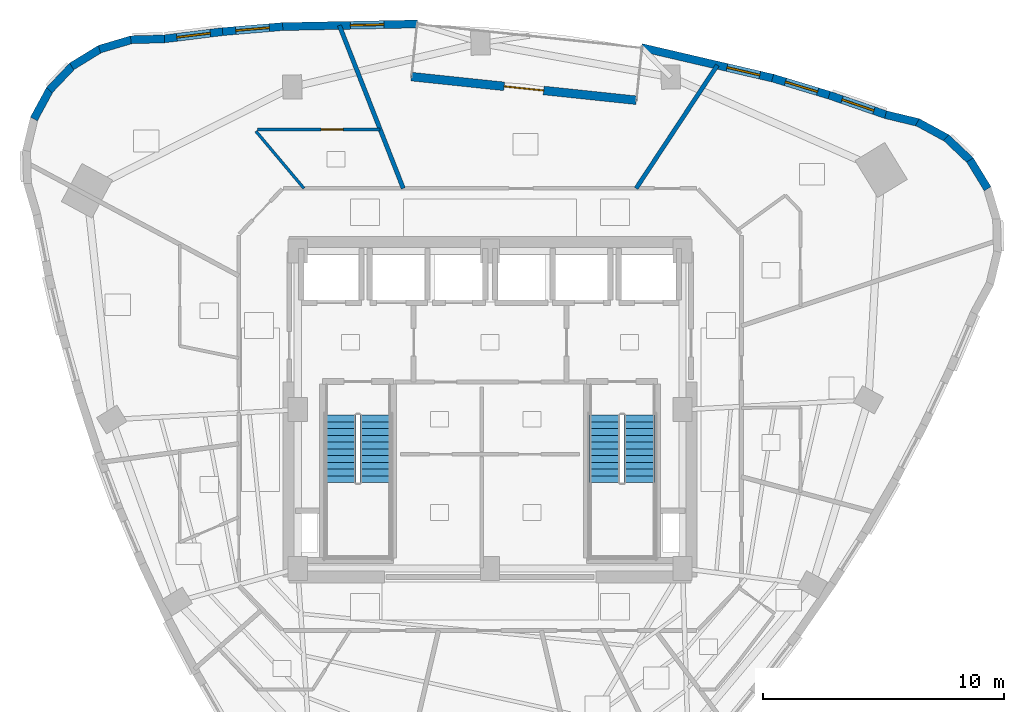
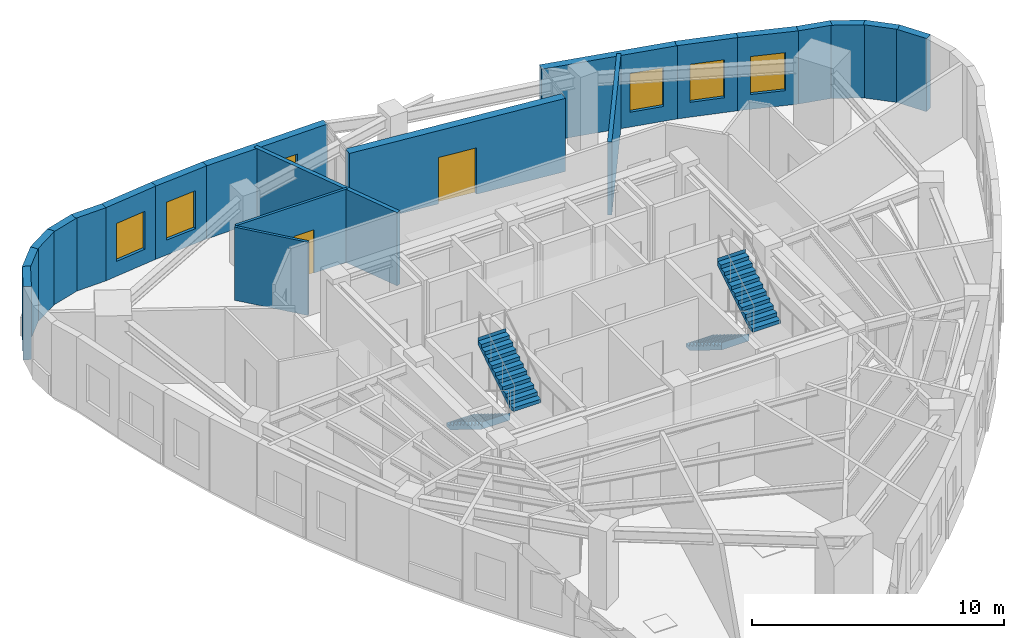
# One storey, part 8 of 11: 20 walls, 6 windows, 4 stair flights, 2 doors, 8 openings, 2 elements without a shape of their own.
"""IFC4 building model written with IfcOpenShell, lengths in metres."""

import ifcopenshell
import ifcopenshell.guid

model = None  # the IFC model being written
_history = None  # IfcOwnerHistory: only IFC2X3 demands one
_inside = {}  # id of a spatial element -> (the spatial element, [elements in it])
_under = {}  # id of a project, library or spatial element -> (it, [spatial elements below it])
_declared = {}  # id of a project -> (the project, [libraries it declares])
_typed = {}  # id of a type object -> (the type object, [elements of that type])
_made_of = {}  # id of a material, layer set ... -> (it, [elements and type objects made of it])


def new_model(schema):
    """Start an empty IFC model of exactly this schema.

    Asked for "IFC4X3", IfcOpenShell would pick the latest addendum, in which some entities
    have other attributes; the version numbers below select the first issue.
    IFC2X3 requires an IfcOwnerHistory on every rooted entity: one is made here for all.
    """
    global model, _history
    if schema == "IFC4X3":
        model = ifcopenshell.file(schema_version=(4, 3, 0, 0))
    else:
        model = ifcopenshell.file(schema=schema)
    _inside.clear()
    _under.clear()
    _declared.clear()
    _typed.clear()
    _made_of.clear()
    _history = None
    if model.schema == "IFC2X3":
        org = make("IfcOrganization", Name="unknown")
        user = make(
            "IfcPersonAndOrganization",
            ThePerson=make("IfcPerson", FamilyName="unknown"),
            TheOrganization=org,
        )
        app = make(
            "IfcApplication",
            ApplicationDeveloper=org,
            Version="unknown",
            ApplicationFullName="unknown",
            ApplicationIdentifier="unknown",
        )
        _history = make(
            "IfcOwnerHistory",
            OwningUser=user,
            OwningApplication=app,
            ChangeAction="ADDED",
            CreationDate=0,
        )
    return model


def make(cls, **values):
    """One entity of the class cls with the attributes given. An attribute that is None is left unset."""
    return model.create_entity(
        cls, **{name: value for name, value in values.items() if value is not None}
    )


def rooted(cls, **values):
    """An entity with a GlobalId (a new one), such as an element, a storey or a relation."""
    return make(cls, GlobalId=ifcopenshell.guid.new(), OwnerHistory=_history, **values)


def si_unit(unit_type, name, prefix=None):
    """IfcSIUnit, for example si_unit("LENGTHUNIT", "METRE", prefix="MILLI")."""
    return make("IfcSIUnit", UnitType=unit_type, Prefix=prefix, Name=name)


def assignment(units):
    """IfcUnitAssignment: the units of a project."""
    return None if units is None else make("IfcUnitAssignment", Units=units)


def point(xyz):
    """IfcCartesianPoint."""
    return None if xyz is None else make("IfcCartesianPoint", Coordinates=xyz)


def direction(xyz):
    """IfcDirection."""
    return None if xyz is None else make("IfcDirection", DirectionRatios=xyz)


def frame(location, z_axis=None, x_axis=None):
    """IfcAxis2Placement3D, a coordinate frame: its origin and axes. An axis left out is left unset."""
    return make(
        "IfcAxis2Placement3D",
        Location=point(location),
        Axis=direction(z_axis),
        RefDirection=direction(x_axis),
    )


def frame_2d(location, x_axis=None):
    """IfcAxis2Placement2D, a coordinate frame in the plane: its origin and x axis."""
    return make(
        "IfcAxis2Placement2D", Location=point(location), RefDirection=direction(x_axis)
    )


def origin():
    """The frame at (0, 0, 0) with its axes left unset."""
    return frame((0.0, 0.0, 0.0))


def place(relative_to, where):
    """IfcLocalPlacement: puts the frame where relative to a parent placement (None: the world)."""
    return make(
        "IfcLocalPlacement", PlacementRelTo=relative_to, RelativePlacement=where
    )


def context(
    kind, dimensions, precision=None, world=None, true_north=None, identifier=None
):
    """IfcGeometricRepresentationContext, for example the 3D "Model" context."""
    return make(
        "IfcGeometricRepresentationContext",
        ContextIdentifier=identifier,
        ContextType=kind,
        CoordinateSpaceDimension=dimensions,
        Precision=precision,
        WorldCoordinateSystem=world,
        TrueNorth=true_north,
    )


def subcontext(parent, identifier, kind, view, scale=None):
    """IfcGeometricRepresentationSubContext, for example "Body" below "Model"."""
    return make(
        "IfcGeometricRepresentationSubContext",
        ContextIdentifier=identifier,
        ContextType=kind,
        ParentContext=parent,
        TargetScale=scale,
        TargetView=view,
    )


def project(units=None, contexts=None):
    """IfcProject with its units and contexts."""
    return rooted(
        "IfcProject",
        Name="project",
        RepresentationContexts=contexts,
        UnitsInContext=assignment(units),
    )


def spatial(cls, under=None, at=None, **own):
    """A site, building, storey or space (cls), placed at a placement, below another one or the project."""
    s = rooted(cls, ObjectPlacement=at, **own)
    if under is not None:
        _under.setdefault(under.id(), (under, []))[1].append(s)
    return s


def polyline(points):
    """IfcPolyline through the points."""
    return make("IfcPolyline", Points=[point(p) for p in points])


def profile(cls, at=None, kind="AREA", **sizes):
    """A parametric profile (cls). Its sizes go by their IFC names, for example OverallWidth=200.0."""
    return make(cls, ProfileType=kind, Position=at, **sizes)


def rectangle(**sizes):
    """IfcRectangleProfileDef."""
    return profile("IfcRectangleProfileDef", **sizes)


def outline(outer, holes=None, kind="AREA"):
    """IfcArbitraryClosedProfileDef: a profile drawn as a closed curve; with holes, ...WithVoids."""
    if holes is None:
        return make("IfcArbitraryClosedProfileDef", ProfileType=kind, OuterCurve=outer)
    return make(
        "IfcArbitraryProfileDefWithVoids",
        ProfileType=kind,
        OuterCurve=outer,
        InnerCurves=holes,
    )


def extrude(swept, where, along, depth):
    """IfcExtrudedAreaSolid: the profile swept, set in the frame where, extruded along a direction by depth."""
    return make(
        "IfcExtrudedAreaSolid",
        SweptArea=swept,
        Position=where,
        ExtrudedDirection=direction(along),
        Depth=depth,
    )


def shape(context_of_items, identifier, shape_type, items):
    """IfcShapeRepresentation: the items that make up one representation, for example the "Body"."""
    return make(
        "IfcShapeRepresentation",
        ContextOfItems=context_of_items,
        RepresentationIdentifier=identifier,
        RepresentationType=shape_type,
        Items=items,
    )


def material(Name=None, Category=None):
    """IfcMaterial."""
    return make("IfcMaterial", Name=Name, Category=Category)


def layer(
    of_material, thickness, ventilated=None, Name=None, Category=None, Priority=None
):
    """IfcMaterialLayer: one layer of a wall or slab, of a material (None: an air gap)."""
    return make(
        "IfcMaterialLayer",
        Material=of_material,
        LayerThickness=thickness,
        IsVentilated=ventilated,
        Name=Name,
        Category=Category,
        Priority=Priority,
    )


def layer_set(layers, Name=None):
    """IfcMaterialLayerSet."""
    return make("IfcMaterialLayerSet", MaterialLayers=layers, LayerSetName=Name)


def made_of(thing, what):
    """Note that an element or type object is made of a material, layer set ...; save() writes the relation."""
    if what is not None:
        _made_of.setdefault(what.id(), (what, []))[1].append(thing)
    return thing


def type_object(cls, material=None, **own):
    """A type object (cls), such as IfcWallType, which elements share."""
    return made_of(rooted(cls, **own), material)


def element(
    cls,
    number,
    at=None,
    inside=None,
    cuts=None,
    type_object=None,
    material=None,
    context=None,
    identifier="Body",
    shape_type=None,
    held_by="IfcProductDefinitionShape",
    body=None,
    shapes=None,
    **own,
):
    """One element of the class cls, such as IfcWall. Its Tag is "e" and its number.

    at: its placement. inside: the storey or other place that contains it. cuts: it is an
    opening in that element (IfcRelVoidsElement). A single representation is given by context,
    identifier, shape_type and body (its items); several are given by shapes. held_by: the class
    of the entity that holds the representations. save() writes the other relations.
    """
    e = rooted(cls, Tag="e%d" % number, ObjectPlacement=at, **own)
    if body is not None:
        shapes = [shape(context, identifier, shape_type, body)]
    if shapes is not None:
        e.Representation = make(held_by, Representations=shapes)
    if inside is not None:
        _inside.setdefault(inside.id(), (inside, []))[1].append(e)
    if cuts is not None:
        rooted(
            "IfcRelVoidsElement", RelatingBuildingElement=cuts, RelatedOpeningElement=e
        )
    if type_object is not None:
        _typed.setdefault(type_object.id(), (type_object, []))[1].append(e)
    return made_of(e, material)


def fill(opening, filler):
    """IfcRelFillsElement: the door or window that sits in an opening."""
    return rooted(
        "IfcRelFillsElement",
        RelatingOpeningElement=opening,
        RelatedBuildingElement=filler,
    )


def aggregate(whole, parts):
    """IfcRelAggregates: a whole, such as a stair, and the parts it consists of."""
    return rooted("IfcRelAggregates", RelatingObject=whole, RelatedObjects=parts)


def save(model, path):
    """Write the relations noted so far, then the file.

    IfcRelAggregates (storeys below a building ...), IfcRelContainedInSpatialStructure (elements
    in a storey), IfcRelDefinesByType, IfcRelAssociatesMaterial and IfcRelDeclares: one each for
    every whole, place, type object, material and project.
    """
    for whole, parts in _under.values():
        aggregate(whole, parts)
    for where, things in _inside.values():
        rooted(
            "IfcRelContainedInSpatialStructure",
            RelatedElements=things,
            RelatingStructure=where,
        )
    for kind, things in _typed.values():
        rooted("IfcRelDefinesByType", RelatedObjects=things, RelatingType=kind)
    for what, things in _made_of.values():
        rooted("IfcRelAssociatesMaterial", RelatedObjects=things, RelatingMaterial=what)
    for by, libraries in _declared.values():
        rooted("IfcRelDeclares", RelatingContext=by, RelatedDefinitions=libraries)
    model.write(path)


model = new_model("IFC4")

# Units and contexts
model_context = context("Model", 3, precision=1e-05, world=origin(), true_north=direction((0.0, 1.0)))
body_context = subcontext(model_context, "Body", "Model", "MODEL_VIEW")
ifc_project = project(units=[si_unit("LENGTHUNIT", "METRE"), si_unit("AREAUNIT", "SQUARE_METRE"), si_unit("VOLUMEUNIT", "CUBIC_METRE"), si_unit("PLANEANGLEUNIT", "RADIAN"), si_unit("MASSUNIT", "GRAM", prefix="KILO")], contexts=[model_context])

# Site, building, storey
site_placement = place(None, origin())
site = spatial("IfcSite", under=ifc_project, at=site_placement, CompositionType="ELEMENT")
building_placement = place(site_placement, origin())
building = spatial("IfcBuilding", under=site, at=building_placement, Name="Ndelora Gate Hotel", CompositionType="ELEMENT")
storey_placement = place(building_placement, frame((0.0, 0.0, 186.550048828125)))
storey = spatial("IfcBuildingStorey", under=building, at=storey_placement, Name="L46", CompositionType="ELEMENT", Elevation=186.550048828125)

# Walls
ifc_material_1 = material(Name="Acoustic Double-Stud Gypsum Assembly", Category="gypsum")
ifc_layer_1 = layer(ifc_material_1, 0.179931640625)
ifc_layer_set_1 = layer_set([ifc_layer_1], Name="Acoustic Double-Stud Gypsum Assembly")
wall_type_1 = type_object("IfcWallType", Name="WL-ACOUST-180", PredefinedType="PARTITIONING", material=ifc_layer_set_1)
wall_1_placement = place(storey_placement, frame((6.0703125, 9.199951171875, 0.0), z_axis=(0.0, 0.0, 1.0), x_axis=(0.550708603457, 0.834697570428, 0.0)))
element("IfcWall", 1, at=wall_1_placement, inside=storey, type_object=wall_type_1, Name="L46 Interior Wall IW-3", PredefinedType="PARTITIONING", context=body_context, shape_type="SweptSolid", body=[
    extrude(rectangle(XDim=6.135498046875, YDim=0.179931640625, at=frame_2d((3.06787109375, 0.0))), origin(), (0.0, 0.0, 1.0), 3.550048828125),
])
wall_2_placement = place(storey_placement, frame((-3.608642578125, 9.199951171875, 0.0), z_axis=(0.0, 0.0, 1.0), x_axis=(-0.365139424443, 0.930952845593, 0.0)))
element("IfcWall", 2, at=wall_2_placement, inside=storey, type_object=wall_type_1, Name="L46 Interior Wall IW-3", PredefinedType="PARTITIONING", context=body_context, shape_type="SweptSolid", body=[
    extrude(rectangle(XDim=7.275390625, YDim=0.179931640625, at=frame_2d((3.6376953125, 0.0))), origin(), (0.0, 0.0, 1.0), 3.550048828125),
])
ifc_material_2 = material(Name="Clay Brick Masonry", Category="masonry")
ifc_layer_2 = layer(ifc_material_2, 0.330078125)
ifc_layer_set_2 = layer_set([ifc_layer_2], Name="Clay Brick Masonry")
wall_type_2 = type_object("IfcWallType", Name="WL-BRICK-330", PredefinedType="SOLIDWALL", material=ifc_layer_set_2)
wall_3_placement = place(storey_placement, frame((-14.938232421875, 15.37939453125, 0.0), z_axis=(0.0, 0.0, 1.0), x_axis=(0.999656913907, 0.02619264168, 0.0)))
element("IfcWall", 3, at=wall_3_placement, inside=storey, type_object=wall_type_2, Name="L46 Tower Brick Pier-and-Spandrel Wall TWR-1", PredefinedType="SOLIDWALL", context=body_context, shape_type="SweptSolid", body=[
    extrude(rectangle(XDim=1.407470703125, YDim=0.330078125, at=frame_2d((0.70361328125, 0.0))), origin(), (0.0, 0.0, 1.0), 3.550048828125),
])
wall_4_placement = place(storey_placement, frame((-16.23876953125, 14.9873046875, 0.0), z_axis=(0.0, 0.0, 1.0), x_axis=(0.958794613149, 0.284100140437, 0.0)))
element("IfcWall", 4, at=wall_4_placement, inside=storey, type_object=wall_type_2, Name="L46 Tower Brick Pier-and-Spandrel Wall TWR-2", PredefinedType="SOLIDWALL", context=body_context, shape_type="SweptSolid", body=[
    extrude(rectangle(XDim=1.40771484375, YDim=0.330078125, at=frame_2d((0.703857421875, 0.0))), origin(), (0.0, 0.0, 1.0), 3.550048828125),
])
wall_5_placement = place(storey_placement, frame((-17.3935546875, 14.272216796875, 0.0), z_axis=(0.0, 0.0, 1.0), x_axis=(0.852633662668, 0.522509174355, 0.0)))
element("IfcWall", 5, at=wall_5_placement, inside=storey, type_object=wall_type_2, Name="L46 Tower Brick Pier-and-Spandrel Wall TWR-3", PredefinedType="SOLIDWALL", context=body_context, shape_type="SweptSolid", body=[
    extrude(rectangle(XDim=1.4072265625, YDim=0.330078125, at=frame_2d((0.70361328125, 0.0))), origin(), (0.0, 0.0, 1.0), 3.550048828125),
])
wall_6_placement = place(storey_placement, frame((-18.323974609375, 13.282470703125, 0.0), z_axis=(0.0, 0.0, 1.0), x_axis=(0.688480442028, 0.725254907563, 0.0)))
element("IfcWall", 6, at=wall_6_placement, inside=storey, type_object=wall_type_2, Name="L46 Tower Brick Pier-and-Spandrel Wall TWR-4", PredefinedType="SOLIDWALL", context=body_context, shape_type="SweptSolid", body=[
    extrude(rectangle(XDim=1.407470703125, YDim=0.330078125, at=frame_2d((0.70361328125, 0.0))), origin(), (0.0, 0.0, 1.0), 3.550048828125),
])
for number, where, z_axis, x_axis, name in (
    (7, (-18.96630859375, 12.085693359375, 0.0), (0.0, 0.0, 1.0), (0.477076549129, 0.878861744685, 0.0), "L46 Tower Brick Pier-and-Spandrel Wall TWR-5"),
    (8, (19.94970703125, 10.382568359375, 0.0), (0.0, 0.0, 1.0), (0.522509174355, -0.852633662668, 0.0), "L46 Tower Brick Pier-and-Spandrel Wall TWR-45"),
    (9, (18.9599609375, 11.312744140625, 0.0), (0.0, 0.0, 1.0), (0.725341527104, -0.688389184298, 0.0), "L46 Tower Brick Pier-and-Spandrel Wall TWR-46"),
):
    element("IfcWall", number, at=place(storey_placement, frame(where, z_axis=z_axis, x_axis=x_axis)), inside=storey, type_object=wall_type_2, Name=name, PredefinedType="SOLIDWALL", context=body_context, shape_type="SweptSolid", body=[
        extrude(rectangle(XDim=1.4072265625, YDim=0.330078125, at=frame_2d((0.70361328125, 0.0))), origin(), (0.0, 0.0, 1.0), 3.550048828125),
    ])
wall_7_placement = place(storey_placement, frame((17.762939453125, 11.955078125, 0.0), z_axis=(0.0, 0.0, 1.0), x_axis=(0.8789012206, -0.47700382014, 0.0)))
element("IfcWall", 10, at=wall_7_placement, inside=storey, type_object=wall_type_2, Name="L46 Tower Brick Pier-and-Spandrel Wall TWR-47", PredefinedType="SOLIDWALL", context=body_context, shape_type="SweptSolid", body=[
    extrude(rectangle(XDim=1.407470703125, YDim=0.330078125, at=frame_2d((0.70361328125, 0.0))), origin(), (0.0, 0.0, 1.0), 3.550048828125),
])
wall_8_placement = place(storey_placement, frame((16.44091796875, 12.26611328125, 0.0), z_axis=(0.0, 0.0, 1.0), x_axis=(0.972355799013, -0.23350417582, 0.0)))
element("IfcWall", 11, at=wall_8_placement, inside=storey, type_object=wall_type_2, Name="L46 Tower Brick Pier-and-Spandrel Wall TWR-48", PredefinedType="SOLIDWALL", context=body_context, shape_type="SweptSolid", body=[
    extrude(rectangle(XDim=1.4072265625, YDim=0.330078125, at=frame_2d((0.70361328125, 0.0))), origin(), (0.0, 0.0, 1.0), 3.550048828125),
])

# Wall, opening, window
wall_9_placement = place(storey_placement, frame((14.09814453125, 13.0771484375, 0.0), z_axis=(0.0, 0.0, 1.0), x_axis=(0.945270347183, -0.326288171311, 0.0)))
wall_9 = element("IfcWall", 12, at=wall_9_placement, inside=storey, type_object=wall_type_2, Name="L46 Tower Brick Pier-and-Spandrel Wall TWR-49", PredefinedType="SOLIDWALL", context=body_context, shape_type="SweptSolid", body=[
    extrude(rectangle(XDim=2.529052734375, YDim=0.330078125, at=frame_2d((1.2646484375, 0.0))), origin(), (0.0, 0.0, 1.0), 3.550048828125),
])
opening_1_placement = place(wall_9_placement, frame((0.564453125, 0.0, 0.719970703125)))
opening_1 = element("IfcOpeningElement", 13, at=opening_1_placement, cuts=wall_9, Name="Opening W02", PredefinedType="OPENING", context=body_context, shape_type="SweptSolid", body=[
    extrude(rectangle(XDim=1.39990234375, YDim=1.840087890625, at=frame_2d((0.699951171875, 0.919921875))), frame((0.0, 0.175048828125, 0.0), z_axis=(0.0, -1.0, 0.0), x_axis=(1.0, 0.0, 0.0)), (0.0, 0.0, 1.0), 0.35009765625),
])
ifc_material_3 = material(Name="Insulated Low-E Double Glazing in Bronze Aluminium Frame", Category="aluminium")
window_type = type_object("IfcWindowType", Name="WN-DEEP-1400", PartitioningType="SINGLE_PANEL", PredefinedType="WINDOW", material=ifc_material_3)
window_1_placement = place(opening_1_placement, origin())
window_1 = element("IfcWindow", 14, at=window_1_placement, inside=storey, type_object=window_type, Name="L46 Deep-Set Brick-Pier Window W02", OverallHeight=1.840087890625, OverallWidth=1.39990234375, PartitioningType="SINGLE_PANEL", PredefinedType="WINDOW", context=body_context, shape_type="SweptSolid", body=[
    extrude(rectangle(XDim=1.39990234375, YDim=1.840087890625, at=frame_2d((0.699951171875, 0.919921875))), frame((0.0, 0.030029296875, 0.0), z_axis=(0.0, -1.0, 0.0), x_axis=(1.0, 0.0, 0.0)), (0.0, 0.0, 1.0), 0.06005859375),
])
fill(opening_1, window_1)

wall_10_placement = place(storey_placement, frame((11.744384765625, 13.7880859375, 0.0), z_axis=(0.0, 0.0, 1.0), x_axis=(0.957175686943, -0.289507693031, 0.0)))
wall_10 = element("IfcWall", 15, at=wall_10_placement, inside=storey, type_object=wall_type_2, Name="L46 Tower Brick Pier-and-Spandrel Wall TWR-50", PredefinedType="SOLIDWALL", context=body_context, shape_type="SweptSolid", body=[
    extrude(rectangle(XDim=2.5087890625, YDim=0.330078125, at=frame_2d((1.25439453125, 0.0))), origin(), (0.0, 0.0, 1.0), 3.550048828125),
])
opening_2_placement = place(wall_10_placement, frame((0.554443359375, 0.0, 0.719970703125)))
opening_2 = element("IfcOpeningElement", 16, at=opening_2_placement, cuts=wall_10, Name="Opening W02", PredefinedType="OPENING", context=body_context, shape_type="SweptSolid", body=[
    extrude(rectangle(XDim=1.39990234375, YDim=1.840087890625, at=frame_2d((0.699951171875, 0.919921875))), frame((0.0, 0.175048828125, 0.0), z_axis=(0.0, -1.0, 0.0), x_axis=(1.0, 0.0, 0.0)), (0.0, 0.0, 1.0), 0.35009765625),
])
window_2_placement = place(opening_2_placement, origin())
window_2 = element("IfcWindow", 17, at=window_2_placement, inside=storey, type_object=window_type, Name="L46 Deep-Set Brick-Pier Window W02", OverallHeight=1.840087890625, OverallWidth=1.39990234375, PartitioningType="SINGLE_PANEL", PredefinedType="WINDOW", context=body_context, shape_type="SweptSolid", body=[
    extrude(rectangle(XDim=1.39990234375, YDim=1.840087890625, at=frame_2d((0.699951171875, 0.919921875))), frame((0.0, 0.030029296875, 0.0), z_axis=(0.0, -1.0, 0.0), x_axis=(1.0, 0.0, 0.0)), (0.0, 0.0, 1.0), 0.06005859375),
])
fill(opening_2, window_2)

wall_11_placement = place(storey_placement, frame((6.28369140625, 15.05859375, 0.0), z_axis=(0.0, 0.0, 1.0), x_axis=(0.973919150731, -0.226895323527, 0.0)))
wall_11 = element("IfcWall", 18, at=wall_11_placement, inside=storey, type_object=wall_type_2, Name="L46 Tower Brick Pier-and-Spandrel Wall TWR-51", PredefinedType="SOLIDWALL", context=body_context, shape_type="SweptSolid", body=[
    extrude(rectangle(XDim=5.656494140625, YDim=0.330078125, at=frame_2d((2.828125, 0.0))), origin(), (0.0, 0.0, 1.0), 3.550048828125),
])
opening_3_placement = place(wall_11_placement, frame((3.659912109375, 0.0, 0.719970703125)))
opening_3 = element("IfcOpeningElement", 19, at=opening_3_placement, cuts=wall_11, Name="Opening W02", PredefinedType="OPENING", context=body_context, shape_type="SweptSolid", body=[
    extrude(rectangle(XDim=1.39990234375, YDim=1.8798828125, at=frame_2d((0.699951171875, 0.93994140625))), frame((0.0, 0.175048828125, 0.0), z_axis=(0.0, -1.0, 0.0), x_axis=(1.0, 0.0, 0.0)), (0.0, 0.0, 1.0), 0.35009765625),
])
window_3_placement = place(opening_3_placement, origin())
window_3 = element("IfcWindow", 20, at=window_3_placement, inside=storey, type_object=window_type, Name="L46 Deep-Set Brick-Pier Window W02", OverallHeight=1.8798828125, OverallWidth=1.39990234375, PartitioningType="SINGLE_PANEL", PredefinedType="WINDOW", context=body_context, shape_type="SweptSolid", body=[
    extrude(rectangle(XDim=1.39990234375, YDim=1.8798828125, at=frame_2d((0.699951171875, 0.93994140625))), frame((0.0, 0.030029296875, 0.0), z_axis=(0.0, -1.0, 0.0), x_axis=(1.0, 0.0, 0.0)), (0.0, 0.0, 1.0), 0.06005859375),
])
fill(opening_3, window_3)

wall_12_placement = place(storey_placement, frame((-8.671142578125, 15.926025390625, 0.0), z_axis=(0.0, 0.0, 1.0), x_axis=(0.999810548716, 0.019464497862, 0.0)))
wall_12 = element("IfcWall", 21, at=wall_12_placement, inside=storey, type_object=wall_type_2, Name="L46 Tower Brick Pier-and-Spandrel Wall TWR-56", PredefinedType="SOLIDWALL", context=body_context, shape_type="SweptSolid", body=[
    extrude(rectangle(XDim=5.65673828125, YDim=0.330078125, at=frame_2d((2.828369140625, 0.0))), origin(), (0.0, 0.0, 1.0), 3.550048828125),
])
opening_4_placement = place(wall_12_placement, frame((2.860107421875, 0.0, 0.719970703125)))
opening_4 = element("IfcOpeningElement", 22, at=opening_4_placement, cuts=wall_12, Name="Opening W02", PredefinedType="OPENING", context=body_context, shape_type="SweptSolid", body=[
    extrude(rectangle(XDim=1.39990234375, YDim=1.8798828125, at=frame_2d((0.699951171875, 0.93994140625))), frame((0.0, 0.175048828125, 0.0), z_axis=(0.0, -1.0, 0.0), x_axis=(1.0, 0.0, 0.0)), (0.0, 0.0, 1.0), 0.35009765625),
])
window_4_placement = place(opening_4_placement, origin())
window_4 = element("IfcWindow", 23, at=window_4_placement, inside=storey, type_object=window_type, Name="L46 Deep-Set Brick-Pier Window W02", OverallHeight=1.8798828125, OverallWidth=1.39990234375, PartitioningType="SINGLE_PANEL", PredefinedType="WINDOW", context=body_context, shape_type="SweptSolid", body=[
    extrude(rectangle(XDim=1.39990234375, YDim=1.8798828125, at=frame_2d((0.699951171875, 0.93994140625))), frame((0.0, 0.030029296875, 0.0), z_axis=(0.0, -1.0, 0.0), x_axis=(1.0, 0.0, 0.0)), (0.0, 0.0, 1.0), 0.06005859375),
])
fill(opening_4, window_4)

wall_13_placement = place(storey_placement, frame((-11.12109375, 15.71728515625, 0.0), z_axis=(0.0, 0.0, 1.0), x_axis=(0.996442999906, 0.084269495891, 0.0)))
wall_13 = element("IfcWall", 24, at=wall_13_placement, inside=storey, type_object=wall_type_2, Name="L46 Tower Brick Pier-and-Spandrel Wall TWR-57", PredefinedType="SOLIDWALL", context=body_context, shape_type="SweptSolid", body=[
    extrude(rectangle(XDim=2.509033203125, YDim=0.330078125, at=frame_2d((1.25439453125, 0.0))), origin(), (0.0, 0.0, 1.0), 3.550048828125),
])
opening_5_placement = place(wall_13_placement, frame((0.554443359375, 0.0, 0.719970703125)))
opening_5 = element("IfcOpeningElement", 25, at=opening_5_placement, cuts=wall_13, Name="Opening W02", PredefinedType="OPENING", context=body_context, shape_type="SweptSolid", body=[
    extrude(rectangle(XDim=1.39990234375, YDim=1.840087890625, at=frame_2d((0.699951171875, 0.919921875))), frame((0.0, 0.175048828125, 0.0), z_axis=(0.0, -1.0, 0.0), x_axis=(1.0, 0.0, 0.0)), (0.0, 0.0, 1.0), 0.35009765625),
])
window_5_placement = place(opening_5_placement, origin())
window_5 = element("IfcWindow", 26, at=window_5_placement, inside=storey, type_object=window_type, Name="L46 Deep-Set Brick-Pier Window W02", OverallHeight=1.840087890625, OverallWidth=1.39990234375, PartitioningType="SINGLE_PANEL", PredefinedType="WINDOW", context=body_context, shape_type="SweptSolid", body=[
    extrude(rectangle(XDim=1.39990234375, YDim=1.840087890625, at=frame_2d((0.699951171875, 0.919921875))), frame((0.0, 0.030029296875, 0.0), z_axis=(0.0, -1.0, 0.0), x_axis=(1.0, 0.0, 0.0)), (0.0, 0.0, 1.0), 0.06005859375),
])
fill(opening_5, window_5)

wall_14_placement = place(storey_placement, frame((-13.5810546875, 15.41259765625, 0.0), z_axis=(0.0, 0.0, 1.0), x_axis=(0.992455084251, 0.122608750681, 0.0)))
wall_14 = element("IfcWall", 27, at=wall_14_placement, inside=storey, type_object=wall_type_2, Name="L46 Tower Brick Pier-and-Spandrel Wall TWR-58", PredefinedType="SOLIDWALL", context=body_context, shape_type="SweptSolid", body=[
    extrude(rectangle(XDim=2.52880859375, YDim=0.330078125, at=frame_2d((1.264404296875, 0.0))), origin(), (0.0, 0.0, 1.0), 3.550048828125),
])
opening_6_placement = place(wall_14_placement, frame((0.564453125, 0.0, 0.719970703125)))
opening_6 = element("IfcOpeningElement", 28, at=opening_6_placement, cuts=wall_14, Name="Opening W02", PredefinedType="OPENING", context=body_context, shape_type="SweptSolid", body=[
    extrude(rectangle(XDim=1.39990234375, YDim=1.840087890625, at=frame_2d((0.699951171875, 0.919921875))), frame((0.0, 0.175048828125, 0.0), z_axis=(0.0, -1.0, 0.0), x_axis=(1.0, 0.0, 0.0)), (0.0, 0.0, 1.0), 0.35009765625),
])
window_6_placement = place(opening_6_placement, origin())
window_6 = element("IfcWindow", 29, at=window_6_placement, inside=storey, type_object=window_type, Name="L46 Deep-Set Brick-Pier Window W02", OverallHeight=1.840087890625, OverallWidth=1.39990234375, PartitioningType="SINGLE_PANEL", PredefinedType="WINDOW", context=body_context, shape_type="SweptSolid", body=[
    extrude(rectangle(XDim=1.39990234375, YDim=1.840087890625, at=frame_2d((0.699951171875, 0.919921875))), frame((0.0, 0.030029296875, 0.0), z_axis=(0.0, -1.0, 0.0), x_axis=(1.0, 0.0, 0.0)), (0.0, 0.0, 1.0), 0.06005859375),
])
fill(opening_6, window_6)

# Wall, opening, door
ifc_layer_3 = layer(ifc_material_2, 0.360107421875)
ifc_layer_set_3 = layer_set([ifc_layer_3], Name="Clay Brick Masonry")
wall_type_3 = type_object("IfcWallType", Name="WL-BRICK-360", PredefinedType="SOLIDWALL", material=ifc_layer_set_3)
wall_15_placement = place(storey_placement, frame((-3.2705078125, 13.84765625, 0.0), z_axis=(0.0, 0.0, 1.0), x_axis=(0.994520954065, -0.104537418785, 0.0)))
wall_15 = element("IfcWall", 30, at=wall_15_placement, inside=storey, type_object=wall_type_3, Name="L46 Sky-Garden Loggia Rear Brick Wall", PredefinedType="SOLIDWALL", context=body_context, shape_type="SweptSolid", body=[
    extrude(rectangle(XDim=9.400146484375, YDim=0.360107421875, at=frame_2d((4.7001953125, 0.0))), origin(), (0.0, 0.0, 1.0), 3.550048828125),
])
opening_7_placement = place(wall_15_placement, frame((3.875, 0.0, 0.0)))
opening_7 = element("IfcOpeningElement", 31, at=opening_7_placement, cuts=wall_15, Name="Opening TD1", PredefinedType="OPENING", context=body_context, shape_type="SweptSolid", body=[
    extrude(rectangle(XDim=1.64990234375, YDim=2.25, at=frame_2d((0.824951171875, 1.125))), frame((0.0, 0.18994140625, 0.0), z_axis=(0.0, -1.0, 0.0), x_axis=(1.0, 0.0, 0.0)), (0.0, 0.0, 1.0), 0.380126953125),
])
ifc_material_4 = material(Name="Architectural Bronze Glazed Door", Category="metal")
door_type_1 = type_object("IfcDoorType", Name="DR-TER-1650", OperationType="DOUBLE_DOOR_SINGLE_SWING", PredefinedType="DOOR", material=ifc_material_4)
door_1_placement = place(opening_7_placement, origin())
door_1 = element("IfcDoor", 32, at=door_1_placement, inside=storey, type_object=door_type_1, Name="L46 Sky-Garden Terrace Double Door TD1", OperationType="DOUBLE_DOOR_SINGLE_SWING", OverallHeight=2.25, OverallWidth=1.64990234375, PredefinedType="DOOR", context=body_context, shape_type="SweptSolid", body=[
    extrude(rectangle(XDim=1.64990234375, YDim=2.25, at=frame_2d((0.824951171875, 1.125))), frame((0.0, 0.02490234375, 0.0), z_axis=(0.0, -1.0, 0.0), x_axis=(1.0, 0.0, 0.0)), (0.0, 0.0, 1.0), 0.050048828125),
])
fill(opening_7, door_1)

# Wall
ifc_material_5 = material(Name="Moisture-Resistant Bathroom Tile Partition", Category="gypsum")
ifc_layer_4 = layer(ifc_material_5, 0.1201171875)
ifc_layer_set_4 = layer_set([ifc_layer_4], Name="Moisture-Resistant Bathroom Tile Partition")
wall_type_4 = type_object("IfcWallType", Name="WL-WET-120", PredefinedType="PARTITIONING", material=ifc_layer_set_4)
wall_16_placement = place(storey_placement, frame((-7.736328125, 9.199951171875, 0.0), z_axis=(0.0, 0.0, 1.0), x_axis=(-0.643615619496, 0.765348897131, 0.0)))
element("IfcWall", 33, at=wall_16_placement, inside=storey, type_object=wall_type_4, Name="L46 Interior Wall IW-7", PredefinedType="PARTITIONING", context=body_context, shape_type="SweptSolid", body=[
    extrude(rectangle(XDim=3.108642578125, YDim=0.1201171875, at=frame_2d((1.55419921875, 0.0))), origin(), (0.0, 0.0, 1.0), 3.550048828125),
])

# Wall, opening, door
wall_17_placement = place(storey_placement, frame((-9.66943359375, 11.64990234375, 0.0), z_axis=(0.0, 0.0, 1.0), x_axis=(1.0, 0.0, 0.0)))
wall_17 = element("IfcWall", 34, at=wall_17_placement, inside=storey, type_object=wall_type_4, Name="L46 Interior Wall IW-7", PredefinedType="PARTITIONING", context=body_context, shape_type="SweptSolid", body=[
    extrude(rectangle(XDim=5.099853515625, YDim=0.1201171875, at=frame_2d((2.5498046875, 0.0))), origin(), (0.0, 0.0, 1.0), 3.550048828125),
])
opening_8_placement = place(wall_17_placement, frame((2.639892578125, 0.0, 0.0)))
opening_8 = element("IfcOpeningElement", 35, at=opening_8_placement, cuts=wall_17, Name="Opening D03", PredefinedType="OPENING", context=body_context, shape_type="SweptSolid", body=[
    extrude(rectangle(XDim=0.919921875, YDim=2.10009765625, at=frame_2d((0.4599609375, 1.050048828125))), frame((0.0, 0.070068359375, 0.0), z_axis=(0.0, -1.0, 0.0), x_axis=(1.0, 0.0, 0.0)), (0.0, 0.0, 1.0), 0.14013671875),
])
ifc_material_6 = material(Name="Moisture-Resistant Hardwood En-Suite Door", Category="wood")
door_type_2 = type_object("IfcDoorType", Name="DR-BATH-920", OperationType="SINGLE_SWING_LEFT", PredefinedType="DOOR", material=ifc_material_6)
door_2_placement = place(opening_8_placement, origin())
door_2 = element("IfcDoor", 36, at=door_2_placement, inside=storey, type_object=door_type_2, Name="L46 En-suite Bathroom 4904 Door", OperationType="SINGLE_SWING_LEFT", OverallHeight=2.10009765625, OverallWidth=0.919921875, PredefinedType="DOOR", context=body_context, shape_type="SweptSolid", body=[
    extrude(rectangle(XDim=0.919921875, YDim=2.10009765625, at=frame_2d((0.4599609375, 1.050048828125))), frame((0.0, 0.02490234375, 0.0), z_axis=(0.0, -1.0, 0.0), x_axis=(1.0, 0.0, 0.0)), (0.0, 0.0, 1.0), 0.050048828125),
])
fill(opening_8, door_2)

# Stair, stair flights
ifc_material_7 = material(Name="Precast concrete C40/50", Category="concrete")
stair_type = type_object("IfcStairType", Name="STR-DOG-CORE", PredefinedType="HALF_TURN_STAIR", material=ifc_material_7)
stair_1_placement = place(storey_placement, origin())
stair_1 = element("IfcStair", 37, at=stair_1_placement, inside=storey, type_object=stair_type, Name="L46 Protected Core Exit Stair ST4", PredefinedType="HALF_TURN_STAIR")
stair_flight_type = type_object("IfcStairFlightType", Name="STF-PRECAST", PredefinedType="STRAIGHT", material=ifc_material_7)
stair_flight_1_placement = place(storey_placement, frame((-6.2099609375, -0.22998046875, 0.0), z_axis=(0.0, 0.0, 1.0), x_axis=(0.0, -1.0, 0.0)))
stair_flight_1 = element("IfcStairFlight", 38, at=stair_flight_1_placement, type_object=stair_flight_type, Name="ST4 flight 1", NumberOfRisers=11, NumberOfTreads=10, PredefinedType="STRAIGHT", RiserHeight=0.172727273, TreadLength=0.28, context=body_context, shape_type="SweptSolid", body=[
    extrude(outline(polyline([(-0.00048828125, 0.0), (-0.00048828125, 0.172607421875), (0.0, 0.172607421875), (0.280029296875, 0.172607421875), (0.280029296875, 0.345458984375), (0.56005859375, 0.345458984375), (0.56005859375, 0.51806640625), (0.840087890625, 0.51806640625), (0.840087890625, 0.69091796875), (1.1201171875, 0.69091796875), (1.1201171875, 0.863525390625), (1.39990234375, 0.863525390625), (1.39990234375, 1.036376953125), (1.679931640625, 1.036376953125), (1.679931640625, 1.208984375), (1.9599609375, 1.208984375), (1.9599609375, 1.3818359375), (2.239990234375, 1.3818359375), (2.239990234375, 1.554443359375), (2.52001953125, 1.554443359375), (2.52001953125, 1.727294921875), (2.800048828125, 1.727294921875), (2.800048828125, 1.89990234375), (2.800537109375, 1.89990234375), (2.800537109375, 1.719970703125), (2.800048828125, 1.551025390625), (0.285400390625, 0.0), (-0.00048828125, 0.0)])), frame((0.0, 0.64013671875, 0.0), z_axis=(0.0, -1.0, 0.0), x_axis=(1.0, 0.0, 0.0)), (0.0, 0.0, 1.0), 1.280029296875),
])
stair_flight_2_placement = place(storey_placement, frame((-4.77001953125, -3.030029296875, 1.89990234375), z_axis=(0.0, 0.0, 1.0), x_axis=(0.0, 1.0, 0.0)))
stair_flight_2 = element("IfcStairFlight", 39, at=stair_flight_2_placement, type_object=stair_flight_type, Name="ST4 flight 2", NumberOfRisers=11, NumberOfTreads=10, PredefinedType="STRAIGHT", RiserHeight=0.172727273, TreadLength=0.28, context=body_context, shape_type="SweptSolid", body=[
    extrude(outline(polyline([(-0.00048828125, 0.0), (-0.00048828125, 0.172607421875), (0.0, 0.172607421875), (0.280029296875, 0.172607421875), (0.280029296875, 0.345458984375), (0.56005859375, 0.345458984375), (0.56005859375, 0.51806640625), (0.840087890625, 0.51806640625), (0.840087890625, 0.69091796875), (1.1201171875, 0.69091796875), (1.1201171875, 0.863525390625), (1.39990234375, 0.863525390625), (1.39990234375, 1.036376953125), (1.679931640625, 1.036376953125), (1.679931640625, 1.208984375), (1.9599609375, 1.208984375), (1.9599609375, 1.3818359375), (2.239990234375, 1.3818359375), (2.239990234375, 1.554443359375), (2.52001953125, 1.554443359375), (2.52001953125, 1.727294921875), (2.800048828125, 1.727294921875), (2.800048828125, 1.89990234375), (2.800537109375, 1.89990234375), (2.800537109375, 1.719970703125), (2.800048828125, 1.551025390625), (0.285400390625, 0.0), (-0.00048828125, 0.0)])), frame((0.0, 0.64013671875, 0.0), z_axis=(0.0, -1.0, 0.0), x_axis=(1.0, 0.0, 0.0)), (0.0, 0.0, 1.0), 1.280029296875),
])
aggregate(stair_1, [stair_flight_1, stair_flight_2])

stair_2_placement = place(storey_placement, origin())
stair_2 = element("IfcStair", 40, at=stair_2_placement, inside=storey, type_object=stair_type, Name="L46 Protected Core Exit Stair ST5", PredefinedType="HALF_TURN_STAIR")
stair_flight_3_placement = place(storey_placement, frame((4.77001953125, -0.22998046875, 0.0), z_axis=(0.0, 0.0, 1.0), x_axis=(0.0, -1.0, 0.0)))
stair_flight_3 = element("IfcStairFlight", 41, at=stair_flight_3_placement, type_object=stair_flight_type, Name="ST5 flight 1", NumberOfRisers=11, NumberOfTreads=10, PredefinedType="STRAIGHT", RiserHeight=0.172727273, TreadLength=0.28, context=body_context, shape_type="SweptSolid", body=[
    extrude(outline(polyline([(-0.00048828125, 0.0), (-0.00048828125, 0.172607421875), (0.0, 0.172607421875), (0.280029296875, 0.172607421875), (0.280029296875, 0.345458984375), (0.56005859375, 0.345458984375), (0.56005859375, 0.51806640625), (0.840087890625, 0.51806640625), (0.840087890625, 0.69091796875), (1.1201171875, 0.69091796875), (1.1201171875, 0.863525390625), (1.39990234375, 0.863525390625), (1.39990234375, 1.036376953125), (1.679931640625, 1.036376953125), (1.679931640625, 1.208984375), (1.9599609375, 1.208984375), (1.9599609375, 1.3818359375), (2.239990234375, 1.3818359375), (2.239990234375, 1.554443359375), (2.52001953125, 1.554443359375), (2.52001953125, 1.727294921875), (2.800048828125, 1.727294921875), (2.800048828125, 1.89990234375), (2.800537109375, 1.89990234375), (2.800537109375, 1.719970703125), (2.800048828125, 1.551025390625), (0.285400390625, 0.0), (-0.00048828125, 0.0)])), frame((0.0, 0.64013671875, 0.0), z_axis=(0.0, -1.0, 0.0), x_axis=(1.0, 0.0, 0.0)), (0.0, 0.0, 1.0), 1.280029296875),
])
stair_flight_4_placement = place(storey_placement, frame((6.2099609375, -3.030029296875, 1.89990234375), z_axis=(0.0, 0.0, 1.0), x_axis=(0.0, 1.0, 0.0)))
stair_flight_4 = element("IfcStairFlight", 42, at=stair_flight_4_placement, type_object=stair_flight_type, Name="ST5 flight 2", NumberOfRisers=11, NumberOfTreads=10, PredefinedType="STRAIGHT", RiserHeight=0.172727273, TreadLength=0.28, context=body_context, shape_type="SweptSolid", body=[
    extrude(outline(polyline([(-0.00048828125, 0.0), (-0.00048828125, 0.172607421875), (0.0, 0.172607421875), (0.280029296875, 0.172607421875), (0.280029296875, 0.345458984375), (0.56005859375, 0.345458984375), (0.56005859375, 0.51806640625), (0.840087890625, 0.51806640625), (0.840087890625, 0.69091796875), (1.1201171875, 0.69091796875), (1.1201171875, 0.863525390625), (1.39990234375, 0.863525390625), (1.39990234375, 1.036376953125), (1.679931640625, 1.036376953125), (1.679931640625, 1.208984375), (1.9599609375, 1.208984375), (1.9599609375, 1.3818359375), (2.239990234375, 1.3818359375), (2.239990234375, 1.554443359375), (2.52001953125, 1.554443359375), (2.52001953125, 1.727294921875), (2.800048828125, 1.727294921875), (2.800048828125, 1.89990234375), (2.800537109375, 1.89990234375), (2.800537109375, 1.719970703125), (2.800048828125, 1.551025390625), (0.285400390625, 0.0), (-0.00048828125, 0.0)])), frame((0.0, 0.64013671875, 0.0), z_axis=(0.0, -1.0, 0.0), x_axis=(1.0, 0.0, 0.0)), (0.0, 0.0, 1.0), 1.280029296875),
])
aggregate(stair_2, [stair_flight_3, stair_flight_4])

save(model, "model.ifc")
